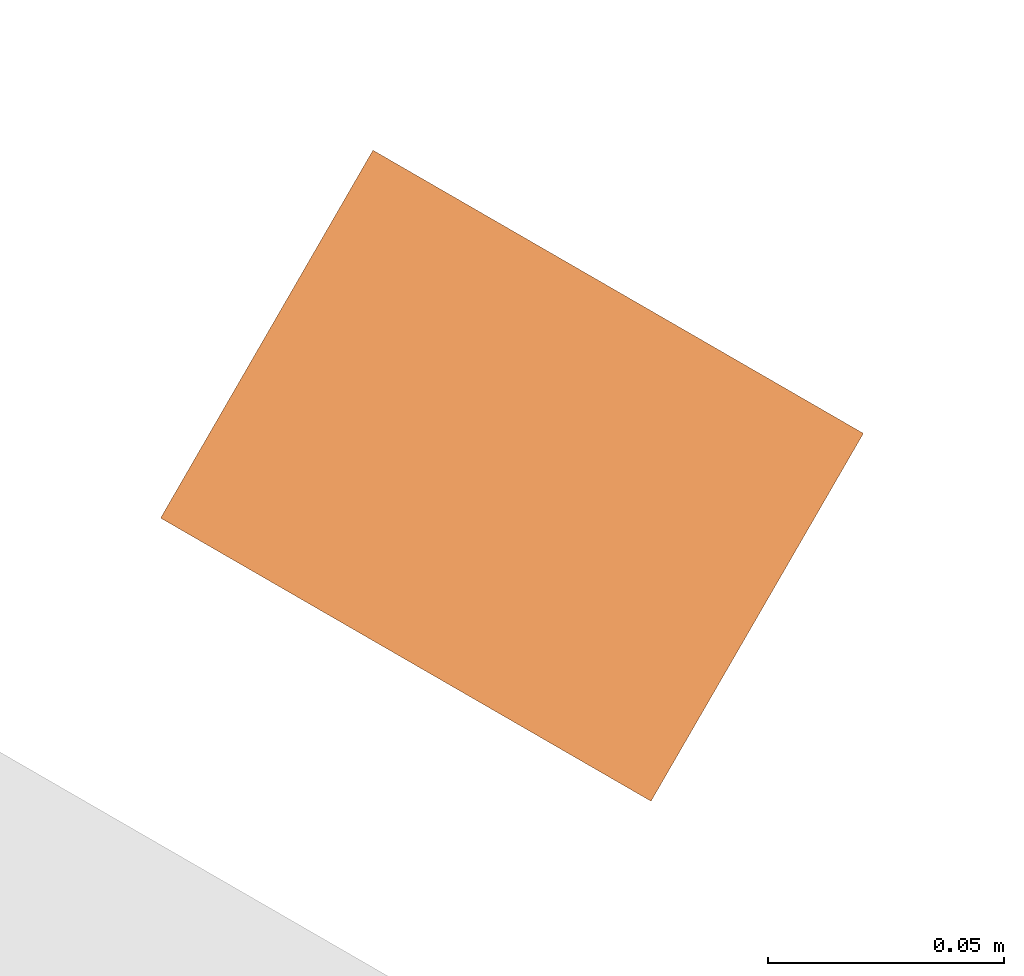
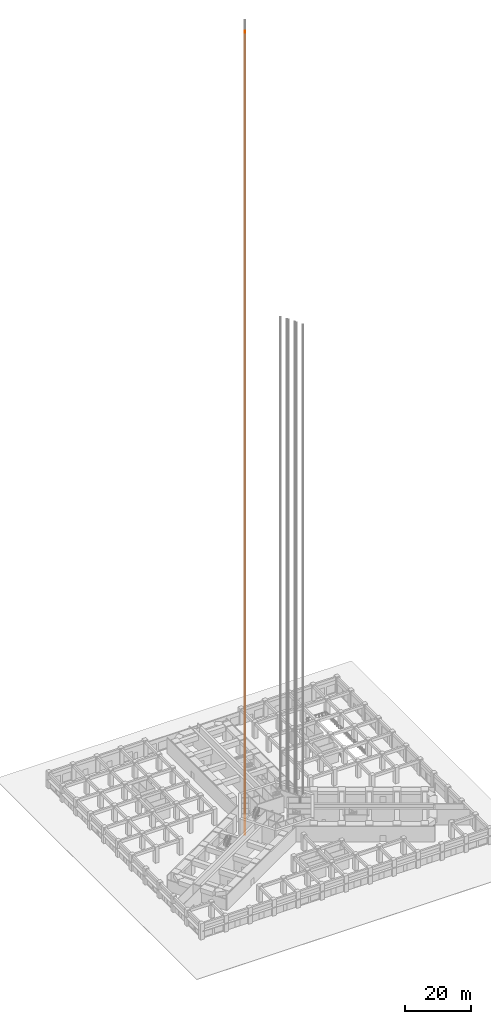
# One storey, part 23 of 33: 1 proxy.
"""IFC4 building model written with IfcOpenShell, lengths in metres."""

from ifc_helpers import new_model, si_unit, direction, frame, origin, origin_2d, place, context, subcontext, project, spatial, rectangle, extrude, material, type_object, element, save


model = new_model("IFC4")

# Units and contexts
model_context = context("Model", 3, precision=1e-05, world=origin(), true_north=direction((0.0, 1.0)))
body_context = subcontext(model_context, "Body", "Model", "MODEL_VIEW")
ifc_project = project(units=[si_unit("LENGTHUNIT", "METRE"), si_unit("AREAUNIT", "SQUARE_METRE"), si_unit("VOLUMEUNIT", "CUBIC_METRE"), si_unit("PLANEANGLEUNIT", "RADIAN"), si_unit("MASSUNIT", "GRAM", prefix="KILO")], contexts=[model_context])

# Site, building, storey
site_placement = place(None, origin())
site = spatial("IfcSite", under=ifc_project, at=site_placement, CompositionType="ELEMENT")
building_placement = place(site_placement, origin())
building = spatial("IfcBuilding", under=site, at=building_placement, Name="Impinga Residences", CompositionType="ELEMENT")
storey_placement = place(building_placement, origin())
storey = spatial("IfcBuildingStorey", under=building, at=storey_placement, Name="L00", CompositionType="ELEMENT", Elevation=0.0)

# Proxy
ifc_material = material(Name="Steel lift guide rail, galvanised", Category="steel")
building_element_proxy_type = type_object("IfcBuildingElementProxyType", Name="LGR lift guide rail", PredefinedType="USERDEFINED", material=ifc_material)
proxy_placement = place(storey_placement, frame((-8.97216796875, 3.222900390625, -3.5), z_axis=(0.0, 0.0, 1.0), x_axis=(-0.5, -0.866025403784, 0.0)))
element("IfcBuildingElementProxy", 1, at=proxy_placement, inside=storey, type_object=building_element_proxy_type, Name="Guide rail P7 1", ObjectType="Lift guide rail", PredefinedType="USERDEFINED", context=body_context, shape_type="SweptSolid", body=[
    extrude(rectangle(XDim=0.090087890625, YDim=0.1201171875, at=origin_2d()), origin(), (0.0, 0.0, 1.0), 297.449951171875),
])

save(model, "model.ifc")
